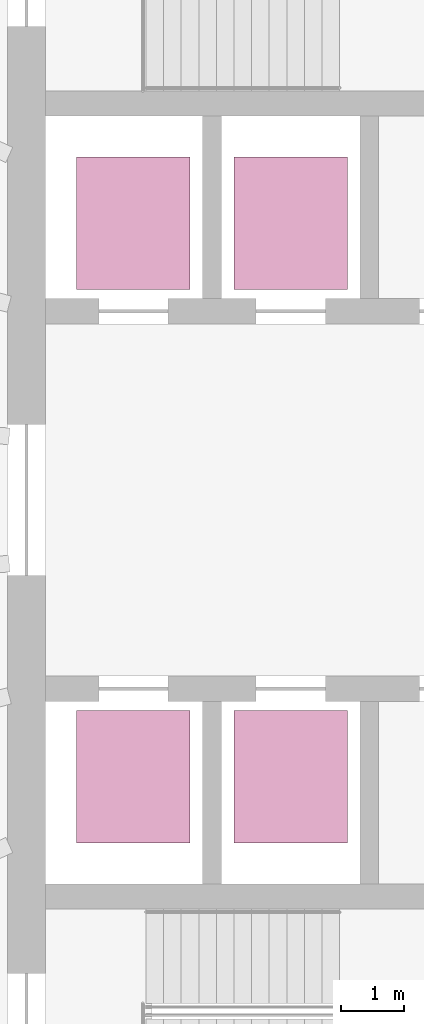
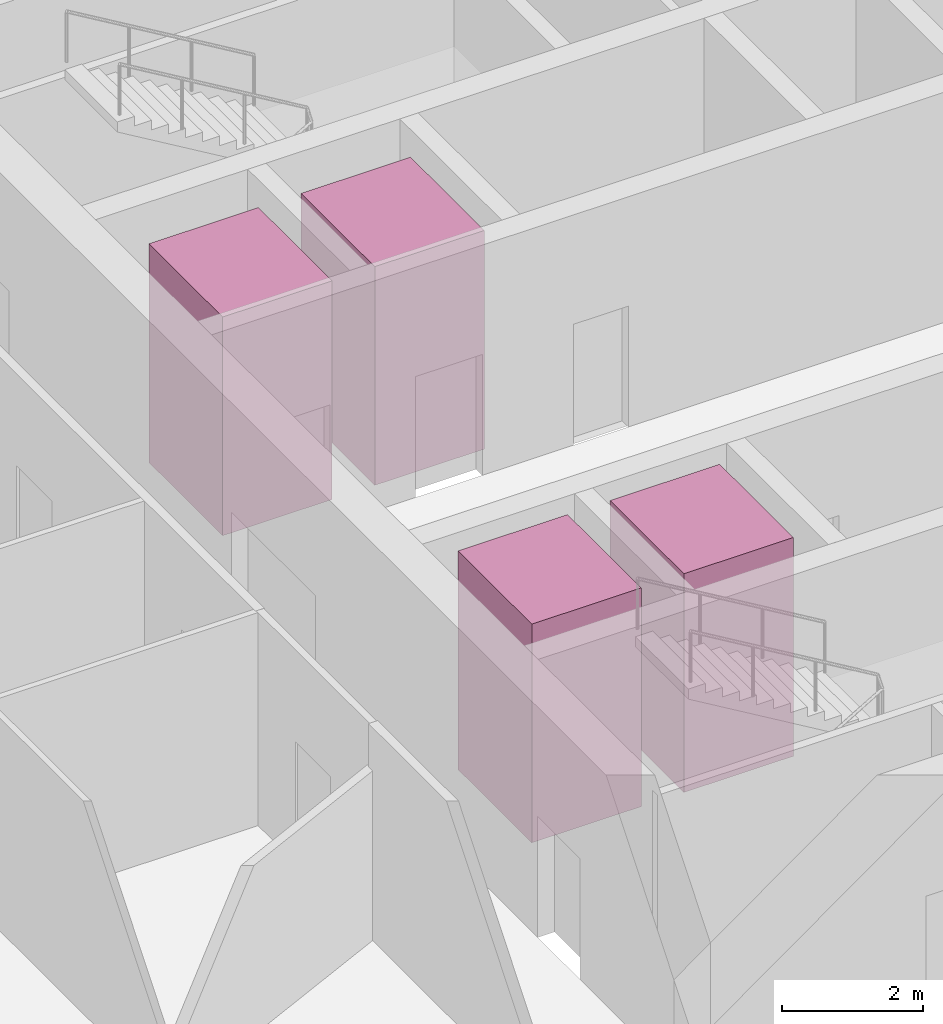
# One storey, part 10 of 10: 4 transport elements.
"""IFC4 building model written with IfcOpenShell, lengths in metres."""

from ifc_helpers import new_model, si_unit, direction, frame, origin, origin_2d, place, context, subcontext, project, spatial, rectangle, extrude, material, type_object, element, save


model = new_model("IFC4")

# Units and contexts
model_context = context("Model", 3, precision=1e-05, world=origin(), true_north=direction((0.0, 1.0)))
body_context = subcontext(model_context, "Body", "Model", "MODEL_VIEW")
ifc_project = project(units=[si_unit("LENGTHUNIT", "METRE"), si_unit("AREAUNIT", "SQUARE_METRE"), si_unit("VOLUMEUNIT", "CUBIC_METRE"), si_unit("PLANEANGLEUNIT", "RADIAN"), si_unit("MASSUNIT", "GRAM", prefix="KILO")], contexts=[model_context])

# Site, building, storey
site_placement = place(None, origin())
site = spatial("IfcSite", under=ifc_project, at=site_placement, CompositionType="ELEMENT")
building_placement = place(site_placement, origin())
building = spatial("IfcBuilding", under=site, at=building_placement, Name="Halqa Exchange Tower", CompositionType="ELEMENT")
storey_placement = place(building_placement, frame((0.0, 0.0, 256.300048828125)))
storey = spatial("IfcBuildingStorey", under=building, at=storey_placement, Name="L59", CompositionType="ELEMENT", Elevation=256.300048828125)

# Transport elements
ifc_material = material(Name="Stainless steel", Category="steel")
transport_element_type = type_object("IfcTransportElementType", Name="High-rise passenger lift 1800 x 2100", PredefinedType="ELEVATOR", material=ifc_material)
for number, where, z_axis, x_axis, name in (
    (1, (-10.0, 4.39990234375, 0.0), (0.0, 0.0, 1.0), (1.0, 0.0, 0.0), "High-rise passenger lift HR1"),
    (2, (-7.5, 4.39990234375, 0.0), (0.0, 0.0, 1.0), (1.0, 0.0, 0.0), "High-rise passenger lift HR2"),
    (3, (-10.0, -4.39990234375, 0.0), (0.0, 0.0, 1.0), (1.0, 0.0, 0.0), "High-rise passenger lift HR3"),
    (4, (-7.5, -4.39990234375, 0.0), (0.0, 0.0, 1.0), (1.0, 0.0, 0.0), "High-rise passenger lift HR4"),
):
    element("IfcTransportElement", number, at=place(storey_placement, frame(where, z_axis=z_axis, x_axis=x_axis)), inside=storey, type_object=transport_element_type, Name=name, PredefinedType="ELEVATOR", context=body_context, shape_type="SweptSolid", body=[
        extrude(rectangle(XDim=1.800048828125, YDim=2.10009765625, at=origin_2d()), origin(), (0.0, 0.0, 1.0), 3.800048828125),
    ])

save(model, "model.ifc")
